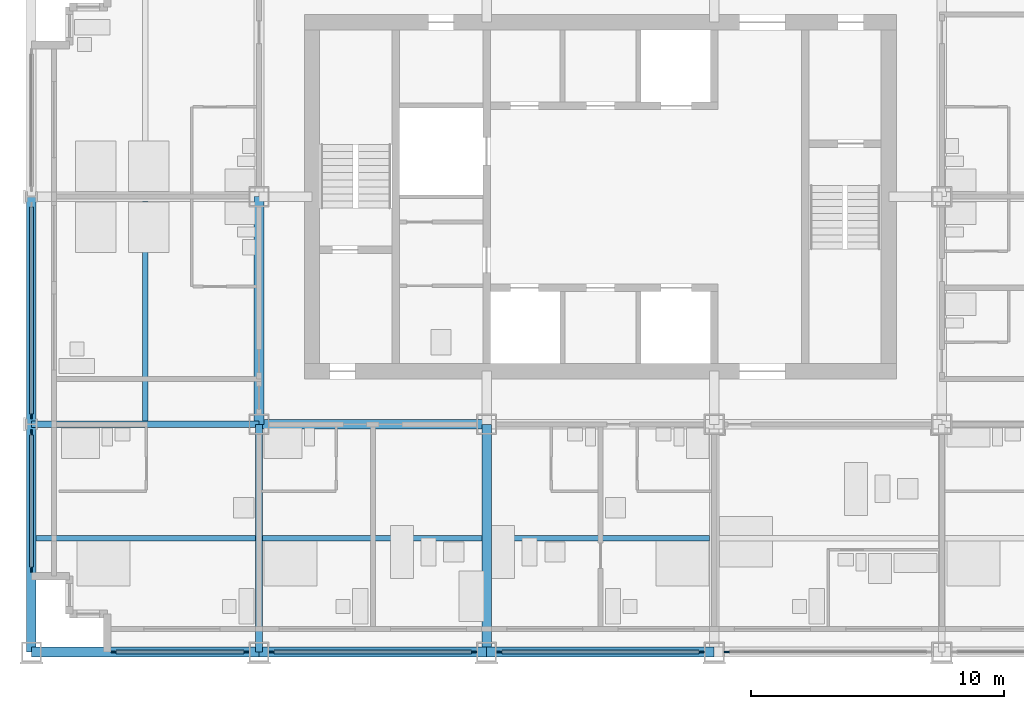
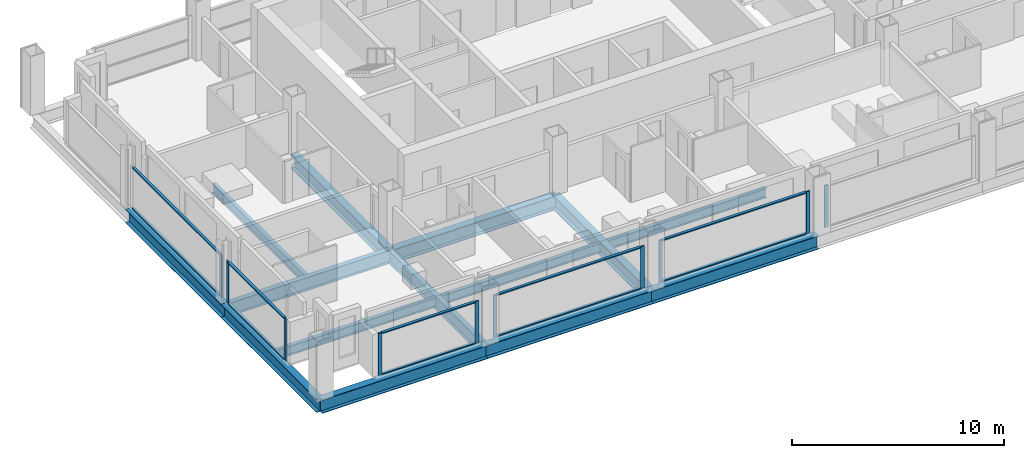
# One storey, part 2 of 13: 20 members, 14 beams, 6 elements without a shape of their own.
"""IFC4 building model written with IfcOpenShell, lengths in metres."""

from ifc_helpers import new_model, si_unit, direction, frame, origin, origin_2d, place, context, subcontext, project, spatial, rectangle, i_section, extrude, material, material_profile, profile_set, type_object, element, aggregate, save


model = new_model("IFC4")

# Units and contexts
model_context = context("Model", 3, precision=1e-05, world=origin(), true_north=direction((0.0, 1.0)))
body_context = subcontext(model_context, "Body", "Model", "MODEL_VIEW")
ifc_project = project(units=[si_unit("LENGTHUNIT", "METRE"), si_unit("AREAUNIT", "SQUARE_METRE"), si_unit("VOLUMEUNIT", "CUBIC_METRE"), si_unit("PLANEANGLEUNIT", "RADIAN"), si_unit("MASSUNIT", "GRAM", prefix="KILO")], contexts=[model_context])

# Site, building, storey
site_placement = place(None, origin())
site = spatial("IfcSite", under=ifc_project, at=site_placement, CompositionType="ELEMENT")
building_placement = place(site_placement, origin())
building = spatial("IfcBuilding", under=site, at=building_placement, Name="Loomwork Tower", CompositionType="ELEMENT")
storey_placement = place(building_placement, frame((0.0, 0.0, 197.800048828125)))
storey = spatial("IfcBuildingStorey", under=building, at=storey_placement, Name="L54", CompositionType="ELEMENT", Elevation=197.800048828125)

# Beams
ifc_material_1 = material(Name="Steel ASTM A992", Category="steel")
ifc_material_profile_1 = material_profile(ifc_material_1, i_section(OverallWidth=0.383544921875, OverallDepth=0.794921875, WebThickness=0.02099609375, FlangeThickness=0.0380859375, at=origin_2d()), Name="W30x235")
ifc_profile_set_1 = profile_set([ifc_material_profile_1], Name="Steel ASTM A992")
beam_type_1 = type_object("IfcBeamType", Name="CORE FLANK GIRDER W30x235", PredefinedType="BEAM", material=ifc_profile_set_1)
for number, where, z_axis, x_axis, name in (
    (1, (9.0, 9.0, -0.59765625), (1.0, 0.0, 0.0), (0.0, 1.0, 0.0), "Core Flank Girder E/3-E/4 L54"),
    (2, (9.0, 9.0, -0.59765625), (0.0, 1.0, 0.0), (-1.0, 0.0, 0.0), "Core Flank Girder E/3-F/3 L54"),
    (3, (18.0, 0.0, -0.59765625), (0.0, 1.0, 0.0), (-1.0, 0.0, 0.0), "Core Flank Girder D/4-E/4 L54"),
):
    element("IfcBeam", number, at=place(storey_placement, frame(where, z_axis=z_axis, x_axis=x_axis)), inside=storey, type_object=beam_type_1, Name=name, PredefinedType="BEAM", context=body_context, shape_type="SweptSolid", body=[
        extrude(i_section(OverallWidth=0.383544921875, OverallDepth=0.794921875, WebThickness=0.02099609375, FlangeThickness=0.0380859375, at=origin_2d()), origin(), (0.0, 0.0, 1.0), 9.0),
    ])
ifc_material_2 = material(Name="Steel ASTM A992", Category="steel")
ifc_material_profile_2 = material_profile(ifc_material_2, i_section(OverallWidth=0.2666015625, OverallDepth=0.761962890625, WebThickness=0.014404296875, FlangeThickness=0.021484375, at=origin_2d()), Name="W30x116")
ifc_profile_set_2 = profile_set([ifc_material_profile_2], Name="Steel ASTM A992")
beam_type_2 = type_object("IfcBeamType", Name="FLOOR GIRDER W30x116", PredefinedType="BEAM", material=ifc_profile_set_2)
for number, where, z_axis, x_axis, name in (
    (4, (0.0, 9.0, -0.5810546875), (1.0, 0.0, 0.0), (0.0, 1.0, 0.0), "Floor Girder E/2-E/3 L54"),
    (5, (9.0, 0.0, -0.5810546875), (0.0, 1.0, 0.0), (-1.0, 0.0, 0.0), "Floor Girder D/3-E/3 L54"),
):
    element("IfcBeam", number, at=place(storey_placement, frame(where, z_axis=z_axis, x_axis=x_axis)), inside=storey, type_object=beam_type_2, Name=name, PredefinedType="BEAM", context=body_context, shape_type="SweptSolid", body=[
        extrude(i_section(OverallWidth=0.2666015625, OverallDepth=0.761962890625, WebThickness=0.014404296875, FlangeThickness=0.021484375, at=origin_2d()), origin(), (0.0, 0.0, 1.0), 9.0),
    ])
ifc_material_3 = material(Name="Steel ASTM A992", Category="steel")
ifc_material_profile_3 = material_profile(ifc_material_3, i_section(OverallWidth=0.2109375, OverallDepth=0.53857421875, WebThickness=0.011474609375, FlangeThickness=0.018798828125, at=origin_2d()), Name="W21x73")
ifc_profile_set_3 = profile_set([ifc_material_profile_3], Name="Steel ASTM A992")
beam_type_3 = type_object("IfcBeamType", Name="FLOOR JOIST W21x73", PredefinedType="JOIST", material=ifc_profile_set_3)
beam_1_placement = place(storey_placement, frame((0.18994140625, 4.5, -0.46923828125), z_axis=(1.0, 0.0, 0.0), x_axis=(0.0, 1.0, 0.0)))
element("IfcBeam", 6, at=beam_1_placement, inside=storey, type_object=beam_type_3, Name="Floor Joist 0.000,4.500-9.000,4.500 L54", PredefinedType="JOIST", context=body_context, shape_type="SweptSolid", body=[
    extrude(i_section(OverallWidth=0.2109375, OverallDepth=0.53857421875, WebThickness=0.011474609375, FlangeThickness=0.018798828125, at=origin_2d()), origin(), (0.0, 0.0, 1.0), 8.677001953125),
])
for number, where, z_axis, x_axis, name in (
    (7, (4.5, 9.133056640625, -0.46923828125), (0.0, 1.0, 0.0), (-1.0, 0.0, 0.0), "Floor Joist 4.500,9.000-4.500,18.000 L54"),
    (8, (9.133056640625, 4.5, -0.46923828125), (1.0, 0.0, 0.0), (0.0, 1.0, 0.0), "Floor Joist 9.000,4.500-18.000,4.500 L54"),
):
    element("IfcBeam", number, at=place(storey_placement, frame(where, z_axis=z_axis, x_axis=x_axis)), inside=storey, type_object=beam_type_3, Name=name, PredefinedType="JOIST", context=body_context, shape_type="SweptSolid", body=[
        extrude(i_section(OverallWidth=0.2109375, OverallDepth=0.53857421875, WebThickness=0.011474609375, FlangeThickness=0.018798828125, at=origin_2d()), origin(), (0.0, 0.0, 1.0), 8.676025390625),
    ])
beam_2_placement = place(storey_placement, frame((18.19091796875, 4.5, -0.46923828125), z_axis=(1.0, 0.0, 0.0), x_axis=(0.0, 1.0, 0.0)))
element("IfcBeam", 9, at=beam_2_placement, inside=storey, type_object=beam_type_3, Name="Floor Joist 18.000,4.500-27.000,4.500 L54", PredefinedType="JOIST", context=body_context, shape_type="SweptSolid", body=[
    extrude(i_section(OverallWidth=0.2109375, OverallDepth=0.53857421875, WebThickness=0.011474609375, FlangeThickness=0.018798828125, at=origin_2d()), origin(), (0.0, 0.0, 1.0), 8.6181640625),
])

# Curtain wall, members
ifc_material_4 = material(Name="Aluminium curtain wall frame", Category="aluminium")
curtain_wall_type = type_object("IfcCurtainWallType", Name="Outer skin glazing hotel", PredefinedType="NOTDEFINED", material=ifc_material_4)
curtain_wall_1_placement = place(storey_placement, origin())
curtain_wall_1 = element("IfcCurtainWall", 10, at=curtain_wall_1_placement, inside=storey, type_object=curtain_wall_type, Name="Outer skin glazing hotel cw/S-0", PredefinedType="NOTDEFINED")
ifc_material_5 = material(Name="Aluminium curtain wall frame", Category="aluminium")
ifc_material_profile_4 = material_profile(ifc_material_5, rectangle(XDim=0.06494140625, YDim=0.199951171875, at=origin_2d()), Name="AL 65x200")
ifc_profile_set_4 = profile_set([ifc_material_profile_4], Name="Aluminium curtain wall frame")
member_type_1 = type_object("IfcMemberType", Name="Outer skin glazing hotel mullion", PredefinedType="MULLION", material=ifc_profile_set_4)
member_1_placement = place(storey_placement, frame((3.25, 0.0, 0.0), z_axis=(0.0, 0.0, 1.0), x_axis=(0.0, 1.0, 0.0)))
member_1 = element("IfcMember", 11, at=member_1_placement, type_object=member_type_1, Name="CW1 mullion 1", PredefinedType="MULLION", context=body_context, shape_type="SweptSolid", body=[
    extrude(rectangle(XDim=0.06494140625, YDim=0.199951171875, at=origin_2d()), origin(), (0.0, 0.0, 1.0), 2.420166015625),
])
member_2_placement = place(storey_placement, frame((8.5, 0.0, 0.0), z_axis=(0.0, 0.0, 1.0), x_axis=(0.0, 1.0, 0.0)))
member_2 = element("IfcMember", 12, at=member_2_placement, type_object=member_type_1, Name="CW1 mullion 2", PredefinedType="MULLION", context=body_context, shape_type="SweptSolid", body=[
    extrude(rectangle(XDim=0.06494140625, YDim=0.199951171875, at=origin_2d()), origin(), (0.0, 0.0, 1.0), 2.420166015625),
])

curtain_wall_2_placement = place(storey_placement, origin())
curtain_wall_2 = element("IfcCurtainWall", 13, at=curtain_wall_2_placement, inside=storey, type_object=curtain_wall_type, Name="Outer skin glazing hotel cw/S-9", PredefinedType="NOTDEFINED")
member_3_placement = place(storey_placement, frame((9.5, 0.0, 0.0), z_axis=(0.0, 0.0, 1.0), x_axis=(0.0, 1.0, 0.0)))
member_3 = element("IfcMember", 14, at=member_3_placement, type_object=member_type_1, Name="CW1 mullion 1", PredefinedType="MULLION", context=body_context, shape_type="SweptSolid", body=[
    extrude(rectangle(XDim=0.06494140625, YDim=0.199951171875, at=origin_2d()), origin(), (0.0, 0.0, 1.0), 2.420166015625),
])
member_4_placement = place(storey_placement, frame((17.5, 0.0, 0.0), z_axis=(0.0, 0.0, 1.0), x_axis=(0.0, 1.0, 0.0)))
member_4 = element("IfcMember", 15, at=member_4_placement, type_object=member_type_1, Name="CW1 mullion 2", PredefinedType="MULLION", context=body_context, shape_type="SweptSolid", body=[
    extrude(rectangle(XDim=0.06494140625, YDim=0.199951171875, at=origin_2d()), origin(), (0.0, 0.0, 1.0), 2.420166015625),
])

curtain_wall_3_placement = place(storey_placement, origin())
curtain_wall_3 = element("IfcCurtainWall", 16, at=curtain_wall_3_placement, inside=storey, type_object=curtain_wall_type, Name="Outer skin glazing hotel cw/S-18", PredefinedType="NOTDEFINED")
member_5_placement = place(storey_placement, frame((18.5, 0.0, 0.0), z_axis=(0.0, 0.0, 1.0), x_axis=(0.0, 1.0, 0.0)))
member_5 = element("IfcMember", 17, at=member_5_placement, type_object=member_type_1, Name="CW1 mullion 1", PredefinedType="MULLION", context=body_context, shape_type="SweptSolid", body=[
    extrude(rectangle(XDim=0.06494140625, YDim=0.199951171875, at=origin_2d()), origin(), (0.0, 0.0, 1.0), 2.420166015625),
])
member_6_placement = place(storey_placement, frame((26.5, 0.0, 0.0), z_axis=(0.0, 0.0, 1.0), x_axis=(0.0, 1.0, 0.0)))
member_6 = element("IfcMember", 18, at=member_6_placement, type_object=member_type_1, Name="CW1 mullion 2", PredefinedType="MULLION", context=body_context, shape_type="SweptSolid", body=[
    extrude(rectangle(XDim=0.06494140625, YDim=0.199951171875, at=origin_2d()), origin(), (0.0, 0.0, 1.0), 2.420166015625),
])

# Curtain wall, member
curtain_wall_4_placement = place(storey_placement, origin())
curtain_wall_4 = element("IfcCurtainWall", 19, at=curtain_wall_4_placement, inside=storey, type_object=curtain_wall_type, Name="Outer skin glazing hotel cw/S-27", PredefinedType="NOTDEFINED")
member_7_placement = place(storey_placement, frame((27.5, 0.0, 0.0), z_axis=(0.0, 0.0, 1.0), x_axis=(0.0, 1.0, 0.0)))
member_7 = element("IfcMember", 20, at=member_7_placement, type_object=member_type_1, Name="CW1 mullion 1", PredefinedType="MULLION", context=body_context, shape_type="SweptSolid", body=[
    extrude(rectangle(XDim=0.06494140625, YDim=0.199951171875, at=origin_2d()), origin(), (0.0, 0.0, 1.0), 2.420166015625),
])
aggregate(curtain_wall_4, [member_7])

# Curtain wall, members
curtain_wall_5_placement = place(storey_placement, origin())
curtain_wall_5 = element("IfcCurtainWall", 21, at=curtain_wall_5_placement, inside=storey, type_object=curtain_wall_type, Name="Outer skin glazing hotel cw/W-0", PredefinedType="NOTDEFINED")
member_8_placement = place(storey_placement, frame((0.0, 8.6865234375, 0.0), z_axis=(0.0, 0.0, 1.0), x_axis=(1.0, 0.0, 0.0)))
member_8 = element("IfcMember", 22, at=member_8_placement, type_object=member_type_1, Name="CW1 mullion 1", PredefinedType="MULLION", context=body_context, shape_type="SweptSolid", body=[
    extrude(rectangle(XDim=0.06494140625, YDim=0.199951171875, at=origin_2d()), origin(), (0.0, 0.0, 1.0), 2.420166015625),
])
member_9_placement = place(storey_placement, frame((0.0, 3.25, 0.0), z_axis=(0.0, 0.0, 1.0), x_axis=(1.0, 0.0, 0.0)))
member_9 = element("IfcMember", 23, at=member_9_placement, type_object=member_type_1, Name="CW1 mullion 2", PredefinedType="MULLION", context=body_context, shape_type="SweptSolid", body=[
    extrude(rectangle(XDim=0.06494140625, YDim=0.199951171875, at=origin_2d()), origin(), (0.0, 0.0, 1.0), 2.420166015625),
])

# Curtain wall, member
curtain_wall_6_placement = place(storey_placement, origin())
curtain_wall_6 = element("IfcCurtainWall", 24, at=curtain_wall_6_placement, inside=storey, type_object=curtain_wall_type, Name="Outer skin glazing hotel cw/W-9", PredefinedType="NOTDEFINED")
member_10_placement = place(storey_placement, frame((0.0, 9.3134765625, 0.0), z_axis=(0.0, 0.0, 1.0), x_axis=(1.0, 0.0, 0.0)))
member_10 = element("IfcMember", 25, at=member_10_placement, type_object=member_type_1, Name="CW1 mullion 2", PredefinedType="MULLION", context=body_context, shape_type="SweptSolid", body=[
    extrude(rectangle(XDim=0.06494140625, YDim=0.199951171875, at=origin_2d()), origin(), (0.0, 0.0, 1.0), 2.420166015625),
])

# Member
ifc_material_6 = material(Name="Aluminium curtain wall frame", Category="aluminium")
ifc_material_profile_5 = material_profile(ifc_material_6, rectangle(XDim=0.14990234375, YDim=0.06494140625, at=origin_2d()), Name="AL 65x150")
ifc_profile_set_5 = profile_set([ifc_material_profile_5], Name="Aluminium curtain wall frame")
member_type_2 = type_object("IfcMemberType", Name="Outer skin glazing hotel transom", PredefinedType="USERDEFINED", material=ifc_profile_set_5)
member_11_placement = place(storey_placement, frame((3.35009765625, 0.0, 0.032470703125), z_axis=(1.0, 0.0, 0.0), x_axis=(0.0, 1.0, 0.0)))
member_11 = element("IfcMember", 26, at=member_11_placement, type_object=member_type_2, Name="CW1 transom 1.1", ObjectType="TRANSOM", PredefinedType="USERDEFINED", context=body_context, shape_type="SweptSolid", body=[
    extrude(rectangle(XDim=0.14990234375, YDim=0.06494140625, at=origin_2d()), origin(), (0.0, 0.0, 1.0), 5.0498046875),
])

member_12_placement = place(storey_placement, frame((3.35009765625, 0.0, 2.3876953125), z_axis=(1.0, 0.0, 0.0), x_axis=(0.0, 1.0, 0.0)))
member_12 = element("IfcMember", 27, at=member_12_placement, type_object=member_type_2, Name="CW1 transom 1.2", ObjectType="TRANSOM", PredefinedType="USERDEFINED", context=body_context, shape_type="SweptSolid", body=[
    extrude(rectangle(XDim=0.14990234375, YDim=0.06494140625, at=origin_2d()), origin(), (0.0, 0.0, 1.0), 5.0498046875),
])

aggregate(curtain_wall_1, [member_1, member_2, member_11, member_12])

member_13_placement = place(storey_placement, frame((9.60009765625, 0.0, 0.032470703125), z_axis=(1.0, 0.0, 0.0), x_axis=(0.0, 1.0, 0.0)))
member_13 = element("IfcMember", 28, at=member_13_placement, type_object=member_type_2, Name="CW1 transom 1.1", ObjectType="TRANSOM", PredefinedType="USERDEFINED", context=body_context, shape_type="SweptSolid", body=[
    extrude(rectangle(XDim=0.14990234375, YDim=0.06494140625, at=origin_2d()), origin(), (0.0, 0.0, 1.0), 7.7998046875),
])

member_14_placement = place(storey_placement, frame((9.60009765625, 0.0, 2.3876953125), z_axis=(1.0, 0.0, 0.0), x_axis=(0.0, 1.0, 0.0)))
member_14 = element("IfcMember", 29, at=member_14_placement, type_object=member_type_2, Name="CW1 transom 1.2", ObjectType="TRANSOM", PredefinedType="USERDEFINED", context=body_context, shape_type="SweptSolid", body=[
    extrude(rectangle(XDim=0.14990234375, YDim=0.06494140625, at=origin_2d()), origin(), (0.0, 0.0, 1.0), 7.7998046875),
])

aggregate(curtain_wall_2, [member_3, member_4, member_13, member_14])

member_15_placement = place(storey_placement, frame((18.60009765625, 0.0, 0.032470703125), z_axis=(1.0, 0.0, 0.0), x_axis=(0.0, 1.0, 0.0)))
member_15 = element("IfcMember", 30, at=member_15_placement, type_object=member_type_2, Name="CW1 transom 1.1", ObjectType="TRANSOM", PredefinedType="USERDEFINED", context=body_context, shape_type="SweptSolid", body=[
    extrude(rectangle(XDim=0.14990234375, YDim=0.06494140625, at=origin_2d()), origin(), (0.0, 0.0, 1.0), 7.7998046875),
])

member_16_placement = place(storey_placement, frame((18.60009765625, 0.0, 2.3876953125), z_axis=(1.0, 0.0, 0.0), x_axis=(0.0, 1.0, 0.0)))
member_16 = element("IfcMember", 31, at=member_16_placement, type_object=member_type_2, Name="CW1 transom 1.2", ObjectType="TRANSOM", PredefinedType="USERDEFINED", context=body_context, shape_type="SweptSolid", body=[
    extrude(rectangle(XDim=0.14990234375, YDim=0.06494140625, at=origin_2d()), origin(), (0.0, 0.0, 1.0), 7.7998046875),
])

aggregate(curtain_wall_3, [member_5, member_6, member_15, member_16])

member_17_placement = place(storey_placement, frame((0.0, 8.586669921875, 0.032470703125), z_axis=(0.0, -1.0, 0.0), x_axis=(1.0, 0.0, 0.0)))
member_17 = element("IfcMember", 32, at=member_17_placement, type_object=member_type_2, Name="CW1 transom 1.1", ObjectType="TRANSOM", PredefinedType="USERDEFINED", context=body_context, shape_type="SweptSolid", body=[
    extrude(rectangle(XDim=0.14990234375, YDim=0.06494140625, at=origin_2d()), origin(), (0.0, 0.0, 1.0), 5.236572265625),
])

member_18_placement = place(storey_placement, frame((0.0, 8.586669921875, 2.3876953125), z_axis=(0.0, -1.0, 0.0), x_axis=(1.0, 0.0, 0.0)))
member_18 = element("IfcMember", 33, at=member_18_placement, type_object=member_type_2, Name="CW1 transom 1.2", ObjectType="TRANSOM", PredefinedType="USERDEFINED", context=body_context, shape_type="SweptSolid", body=[
    extrude(rectangle(XDim=0.14990234375, YDim=0.06494140625, at=origin_2d()), origin(), (0.0, 0.0, 1.0), 5.236572265625),
])

aggregate(curtain_wall_5, [member_8, member_9, member_17, member_18])

member_19_placement = place(storey_placement, frame((0.0, 17.586669921875, 0.032470703125), z_axis=(0.0, -1.0, 0.0), x_axis=(1.0, 0.0, 0.0)))
member_19 = element("IfcMember", 34, at=member_19_placement, type_object=member_type_2, Name="CW1 transom 1.1", ObjectType="TRANSOM", PredefinedType="USERDEFINED", context=body_context, shape_type="SweptSolid", body=[
    extrude(rectangle(XDim=0.14990234375, YDim=0.06494140625, at=origin_2d()), origin(), (0.0, 0.0, 1.0), 8.17333984375),
])

member_20_placement = place(storey_placement, frame((0.0, 17.586669921875, 2.3876953125), z_axis=(0.0, -1.0, 0.0), x_axis=(1.0, 0.0, 0.0)))
member_20 = element("IfcMember", 35, at=member_20_placement, type_object=member_type_2, Name="CW1 transom 1.2", ObjectType="TRANSOM", PredefinedType="USERDEFINED", context=body_context, shape_type="SweptSolid", body=[
    extrude(rectangle(XDim=0.14990234375, YDim=0.06494140625, at=origin_2d()), origin(), (0.0, 0.0, 1.0), 8.17333984375),
])

aggregate(curtain_wall_6, [member_10, member_19, member_20])

# Beams
ifc_material_7 = material(Name="Steel ASTM A992", Category="steel")
ifc_material_profile_6 = material_profile(ifc_material_7, i_section(OverallWidth=0.381103515625, OverallDepth=0.77978515625, WebThickness=0.01806640625, FlangeThickness=0.0302734375, at=origin_2d()), Name="W30x191")
ifc_profile_set_6 = profile_set([ifc_material_profile_6], Name="Steel ASTM A992")
beam_type_4 = type_object("IfcBeamType", Name="SPANDREL GIRDER W30x191", PredefinedType="SPANDREL", material=ifc_profile_set_6)
for number, where, z_axis, x_axis, name in (
    (36, (0.0, 0.0, -0.58984375), (1.0, 0.0, 0.0), (0.0, 1.0, 0.0), "Spandrel Girder D/2-D/3 L54"),
    (37, (9.0, 0.0, -0.58984375), (1.0, 0.0, 0.0), (0.0, 1.0, 0.0), "Spandrel Girder D/3-D/4 L54"),
    (38, (18.0, 0.0, -0.58984375), (1.0, 0.0, 0.0), (0.0, 1.0, 0.0), "Spandrel Girder D/4-D/5 L54"),
    (39, (0.0, 0.0, -0.58984375), (0.0, 1.0, 0.0), (-1.0, 0.0, 0.0), "Spandrel Girder D/2-E/2 L54"),
    (40, (0.0, 9.0, -0.58984375), (0.0, 1.0, 0.0), (-1.0, 0.0, 0.0), "Spandrel Girder E/2-F/2 L54"),
):
    element("IfcBeam", number, at=place(storey_placement, frame(where, z_axis=z_axis, x_axis=x_axis)), inside=storey, type_object=beam_type_4, Name=name, PredefinedType="SPANDREL", context=body_context, shape_type="SweptSolid", body=[
        extrude(i_section(OverallWidth=0.381103515625, OverallDepth=0.77978515625, WebThickness=0.01806640625, FlangeThickness=0.0302734375, at=origin_2d()), origin(), (0.0, 0.0, 1.0), 9.0),
    ])

save(model, "model.ifc")
